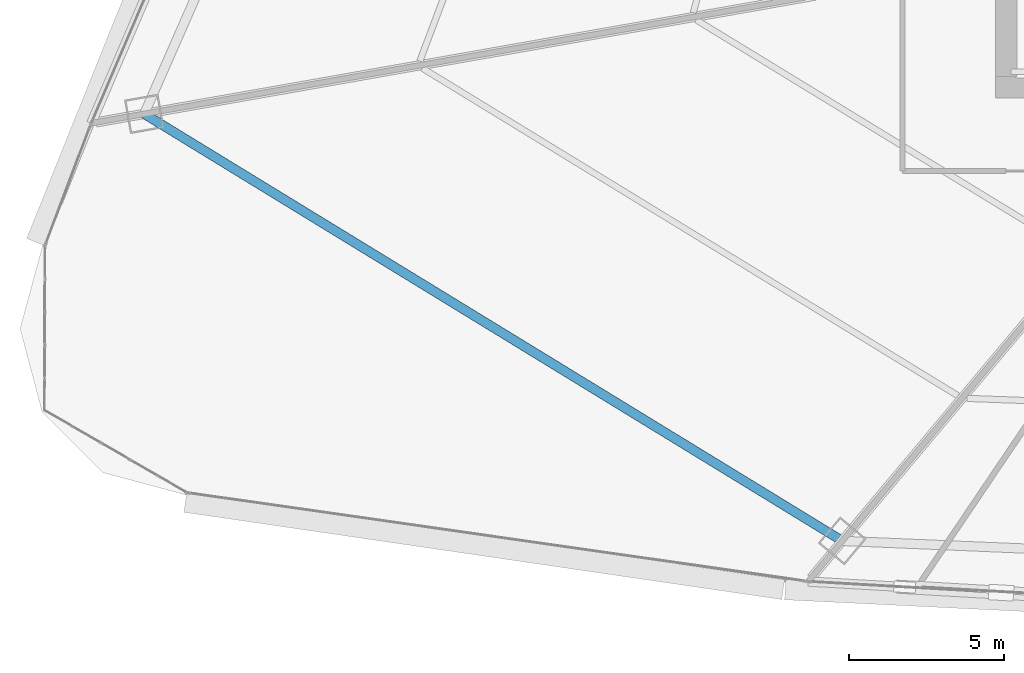
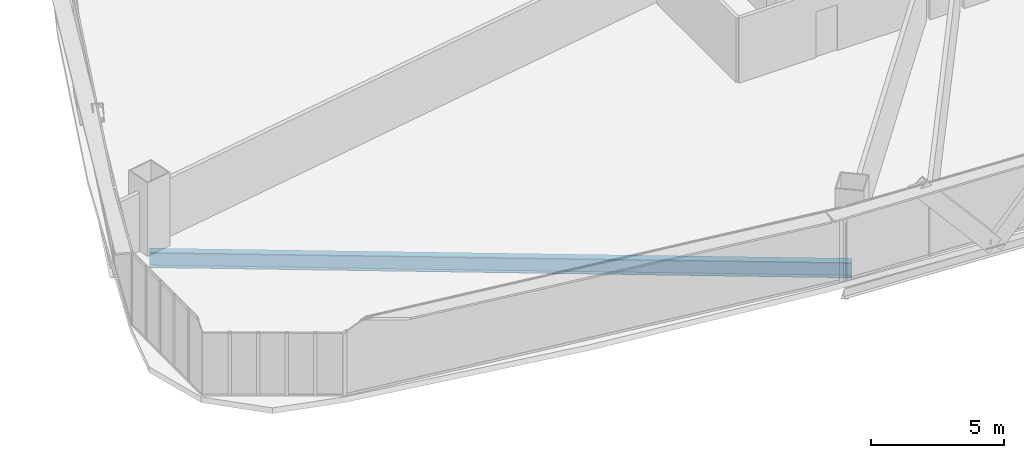
# One storey, part 5 of 42: 1 beam.
"""IFC4 building model written with IfcOpenShell, lengths in metres."""

from ifc_helpers import new_model, si_unit, direction, frame, origin, origin_2d, place, context, subcontext, project, spatial, i_section, extrude, source, transform, mapped, material, material_profile, profile_set, type_object, element, save


model = new_model("IFC4")

# Units and contexts
model_context = context("Model", 3, precision=1e-05, world=origin(), true_north=direction((0.0, 1.0)))
body_context = subcontext(model_context, "Body", "Model", "MODEL_VIEW")
ifc_project = project(units=[si_unit("LENGTHUNIT", "METRE"), si_unit("AREAUNIT", "SQUARE_METRE"), si_unit("VOLUMEUNIT", "CUBIC_METRE"), si_unit("PLANEANGLEUNIT", "RADIAN"), si_unit("MASSUNIT", "GRAM", prefix="KILO"), si_unit("THERMODYNAMICTEMPERATUREUNIT", "KELVIN"), si_unit("POWERUNIT", "WATT")], contexts=[model_context])

# Site, building, storey
site_placement = place(None, origin())
site = spatial("IfcSite", under=ifc_project, at=site_placement, CompositionType="ELEMENT")
building_placement = place(site_placement, origin())
building = spatial("IfcBuilding", under=site, at=building_placement, Name="Yunzhuo Pagoda Commons", CompositionType="ELEMENT")
storey_placement = place(building_placement, frame((0.0, 0.0, 41.2900390625)))
storey = spatial("IfcBuildingStorey", under=building, at=storey_placement, Name="L10", CompositionType="ELEMENT", Elevation=41.2900390625)

# Beam
ifc_material = material(Name="Structural steel Q355B", Category="steel")
ifc_material_profile = material_profile(ifc_material, i_section(OverallWidth=0.300048828125, OverallDepth=0.699951171875, WebThickness=0.012939453125, FlangeThickness=0.02392578125, at=origin_2d()), Name="Structural steel Q355B")
ifc_profile_set = profile_set([ifc_material_profile], Name="Structural steel Q355B")
beam_type = type_object("IfcBeamType", Name="B-RG1 Beam HN 700x300x13x24", PredefinedType="BEAM", material=ifc_profile_set)
shared_shape = source(origin(), body_context, "Body", "SweptSolid", [
    extrude(i_section(OverallWidth=0.300048828125, OverallDepth=0.699951171875, WebThickness=0.012939453125, FlangeThickness=0.02392578125, at=origin_2d()), origin(), (0.0, 0.0, 1.0), 26.432373046875),
])
beam_placement = place(storey_placement, frame((7.952392578125, 26.638427734375, -0.610107421875), z_axis=(0.853031728928, -0.521859051318, 0.0), x_axis=(0.521859051318, 0.853031728928, 0.0)))
element("IfcBeam", 1, at=beam_placement, inside=storey, type_object=beam_type, Name="L10 column-ring beam 12", PredefinedType="BEAM", context=body_context, shape_type="MappedRepresentation", body=[
    mapped(shared_shape, transform((0.0, 0.0, 0.0), scale=1.0)),
])

save(model, "model.ifc")
